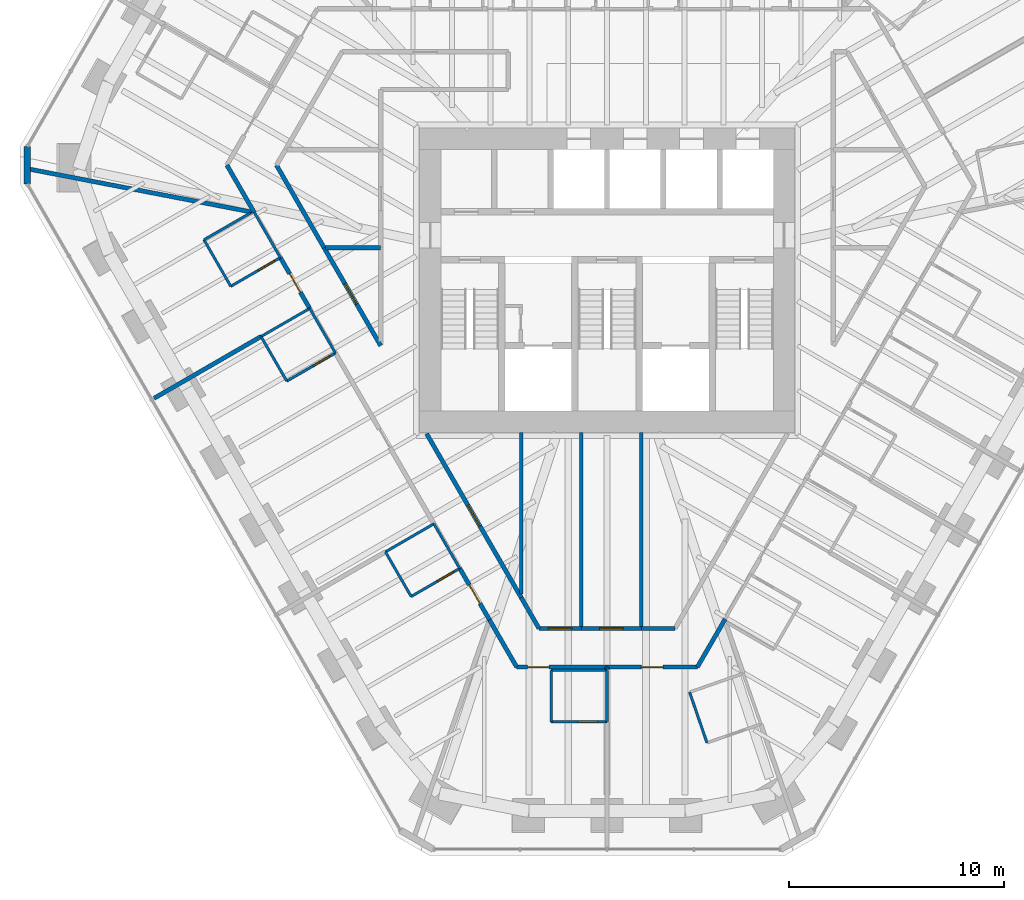
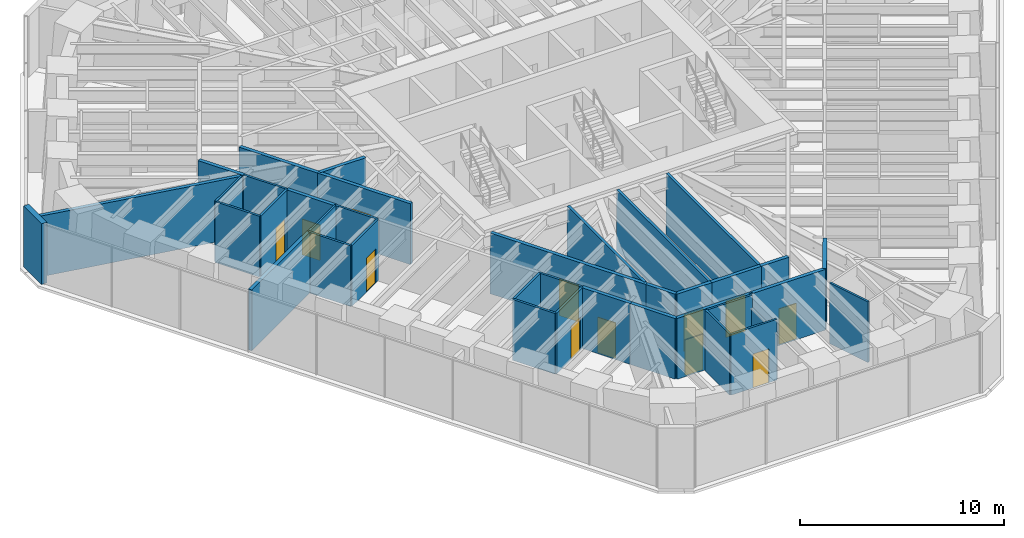
# One storey, part 11 of 17: 39 walls, 12 doors, 12 openings.
"""IFC4 building model written with IfcOpenShell, lengths in metres."""

from ifc_helpers import new_model, si_unit, direction, frame, frame_2d, origin, place, context, subcontext, project, spatial, rectangle, extrude, material, layer, layer_set, type_object, element, fill, save


model = new_model("IFC4")

# Units and contexts
model_context = context("Model", 3, precision=1e-05, world=origin(), true_north=direction((0.0, 1.0)))
body_context = subcontext(model_context, "Body", "Model", "MODEL_VIEW")
ifc_project = project(units=[si_unit("LENGTHUNIT", "METRE"), si_unit("AREAUNIT", "SQUARE_METRE"), si_unit("VOLUMEUNIT", "CUBIC_METRE"), si_unit("PLANEANGLEUNIT", "RADIAN"), si_unit("MASSUNIT", "GRAM", prefix="KILO")], contexts=[model_context])

# Site, building, storey
site_placement = place(None, origin())
site = spatial("IfcSite", under=ifc_project, at=site_placement, CompositionType="ELEMENT")
building_placement = place(site_placement, origin())
building = spatial("IfcBuilding", under=site, at=building_placement, Name="Sandreach Pilgrim Tower", CompositionType="ELEMENT")
storey_placement = place(building_placement, frame((0.0, 0.0, 236.39990234375)))
storey = spatial("IfcBuildingStorey", under=building, at=storey_placement, Name="L59", CompositionType="ELEMENT", Elevation=236.39990234375)

# Walls
ifc_material_1 = material(Name="Gypsum board on steel studs", Category="steel")
ifc_layer_1 = layer(ifc_material_1, 0.14990234375)
ifc_layer_set_1 = layer_set([ifc_layer_1], Name="Back of house wall 150")
wall_type_1 = type_object("IfcWallType", Name="Back of house wall 150", PredefinedType="PARTITIONING", material=ifc_layer_set_1)
wall_1_placement = place(storey_placement, frame((-4.0, -7.10009765625, 0.0), z_axis=(0.0, 0.0, 1.0), x_axis=(0.0, -1.0, 0.0)))
element("IfcWall", 1, at=wall_1_placement, inside=storey, type_object=wall_type_1, Name="Back of house wall L59-060", PredefinedType="PARTITIONING", context=body_context, shape_type="SweptSolid", body=[
    extrude(rectangle(XDim=7.514892578125, YDim=0.14990234375, at=frame_2d((3.75732421875, 0.0))), origin(), (0.0, 0.0, 1.0), 3.64013671875),
])
for number, where, z_axis, x_axis, name in (
    (2, (-1.199951171875, -7.10009765625, 0.0), (0.0, 0.0, 1.0), (0.0, -1.0, 0.0), "Back of house wall L59-069"),
    (3, (1.60009765625, -7.10009765625, 0.0), (0.0, 0.0, 1.0), (0.0, -1.0, 0.0), "Back of house wall L59-078"),
):
    element("IfcWall", number, at=place(storey_placement, frame(where, z_axis=z_axis, x_axis=x_axis)), inside=storey, type_object=wall_type_1, Name=name, PredefinedType="PARTITIONING", context=body_context, shape_type="SweptSolid", body=[
        extrude(rectangle(XDim=9.1298828125, YDim=0.14990234375, at=frame_2d((4.56494140625, 0.0))), origin(), (0.0, 0.0, 1.0), 3.64013671875),
    ])
ifc_material_2 = material(Name="Moisture-resistant gypsum board on steel studs", Category="steel")
ifc_layer_2 = layer(ifc_material_2, 0.1201171875)
ifc_layer_set_2 = layer_set([ifc_layer_2], Name="Bathroom partition 120")
wall_type_2 = type_object("IfcWallType", Name="Bathroom partition 120", PredefinedType="PARTITIONING", material=ifc_layer_set_2)
wall_2_placement = place(storey_placement, frame((-18.7900390625, 1.889892578125, 0.0), z_axis=(0.0, 0.0, 1.0), x_axis=(0.499159685399, -0.866510016372, 0.0)))
element("IfcWall", 4, at=wall_2_placement, inside=storey, type_object=wall_type_2, Name="Bathroom partition L59-008", PredefinedType="PARTITIONING", context=body_context, shape_type="SweptSolid", body=[
    extrude(rectangle(XDim=2.504150390625, YDim=0.1201171875, at=frame_2d((1.251953125, 0.0))), origin(), (0.0, 0.0, 1.0), 3.64013671875),
])

# Wall, opening, door
wall_3_placement = place(storey_placement, frame((-17.5400390625, -0.280029296875, 0.0), z_axis=(0.0, 0.0, 1.0), x_axis=(0.86498992408, 0.501789229896, 0.0)))
wall_3 = element("IfcWall", 5, at=wall_3_placement, inside=storey, type_object=wall_type_2, Name="Bathroom partition L59-013", PredefinedType="PARTITIONING", context=body_context, shape_type="SweptSolid", body=[
    extrude(rectangle(XDim=2.670654296875, YDim=0.1201171875, at=frame_2d((1.33544921875, 0.0))), origin(), (0.0, 0.0, 1.0), 3.64013671875),
])
opening_1_placement = place(wall_3_placement, frame((1.470458984375, 0.0, 0.0)))
opening_1 = element("IfcOpeningElement", 6, at=opening_1_placement, cuts=wall_3, Name="Opening D09-17B", PredefinedType="OPENING", context=body_context, shape_type="SweptSolid", body=[
    extrude(rectangle(XDim=0.89990234375, YDim=2.030029296875, at=frame_2d((0.449951171875, 1.01513671875))), frame((0.0, 0.06005859375, 0.0), z_axis=(0.0, -1.0, 0.0), x_axis=(1.0, 0.0, 0.0)), (0.0, 0.0, 1.0), 0.1201171875),
])
ifc_material_3 = material(Name="Timber door, steel frame", Category="steel")
door_type_1 = type_object("IfcDoorType", Name="Bathroom door", OperationType="SINGLE_SWING_LEFT", PredefinedType="DOOR", material=ifc_material_3)
door_1_placement = place(opening_1_placement, origin())
door_1 = element("IfcDoor", 7, at=door_1_placement, inside=storey, type_object=door_type_1, Name="Door 5917B", OperationType="SINGLE_SWING_RIGHT", OverallHeight=2.030029296875, OverallWidth=0.89990234375, PredefinedType="DOOR", context=body_context, shape_type="SweptSolid", body=[
    extrude(rectangle(XDim=0.89990234375, YDim=2.030029296875, at=frame_2d((0.449951171875, 1.01513671875))), frame((0.0, 0.02490234375, 0.0), z_axis=(0.0, -1.0, 0.0), x_axis=(1.0, 0.0, 0.0)), (0.0, 0.0, 1.0), 0.050048828125),
])
fill(opening_1, door_1)

# Walls
wall_4_placement = place(storey_placement, frame((-16.623779296875, 3.1376953125, 0.0), z_axis=(0.0, 0.0, 1.0), x_axis=(-0.866525185869, -0.499133351175, 0.0)))
element("IfcWall", 8, at=wall_4_placement, inside=storey, type_object=wall_type_2, Name="Bathroom partition L59-014", PredefinedType="PARTITIONING", context=body_context, shape_type="SweptSolid", body=[
    extrude(rectangle(XDim=2.5, YDim=0.1201171875, at=frame_2d((1.25, 0.0))), origin(), (0.0, 0.0, 1.0), 3.64013671875),
])
wall_5_placement = place(storey_placement, frame((-16.44677734375, 3.171875, 0.0), z_axis=(0.0, 0.0, 1.0), x_axis=(0.499242543719, -0.86646227993, 0.0)))
element("IfcWall", 9, at=wall_5_placement, inside=storey, type_object=wall_type_2, Name="Bathroom partition L59-016", PredefinedType="PARTITIONING", context=body_context, shape_type="SweptSolid", body=[
    extrude(rectangle(XDim=2.437255859375, YDim=0.1201171875, at=frame_2d((1.21875, 0.0))), origin(), (0.0, 0.0, 1.0), 3.64013671875),
])
wall_6_placement = place(storey_placement, frame((-16.1298828125, -2.6201171875, 0.0), z_axis=(0.0, 0.0, 1.0), x_axis=(0.499737123639, -0.866177122335, 0.0)))
element("IfcWall", 10, at=wall_6_placement, inside=storey, type_object=wall_type_2, Name="Bathroom partition L59-017", PredefinedType="PARTITIONING", context=body_context, shape_type="SweptSolid", body=[
    extrude(rectangle(XDim=2.401123046875, YDim=0.1201171875, at=frame_2d((1.20068359375, 0.0))), origin(), (0.0, 0.0, 1.0), 3.64013671875),
])
wall_7_placement = place(storey_placement, frame((-16.1298828125, -2.6201171875, 0.0), z_axis=(0.0, 0.0, 1.0), x_axis=(0.866114241029, 0.499846097802, 0.0)))
element("IfcWall", 11, at=wall_7_placement, inside=storey, type_object=wall_type_2, Name="Bathroom partition L59-018", PredefinedType="PARTITIONING", context=body_context, shape_type="SweptSolid", body=[
    extrude(rectangle(XDim=2.620849609375, YDim=0.1201171875, at=frame_2d((1.310546875, 0.0))), origin(), (0.0, 0.0, 1.0), 3.64013671875),
])

# Wall, opening, door
wall_8_placement = place(storey_placement, frame((-14.929931640625, -4.699951171875, 0.0), z_axis=(0.0, 0.0, 1.0), x_axis=(0.866114241029, 0.499846097802, 0.0)))
wall_8 = element("IfcWall", 12, at=wall_8_placement, inside=storey, type_object=wall_type_2, Name="Bathroom partition L59-026", PredefinedType="PARTITIONING", context=body_context, shape_type="SweptSolid", body=[
    extrude(rectangle(XDim=2.620849609375, YDim=0.1201171875, at=frame_2d((1.310546875, 0.0))), origin(), (0.0, 0.0, 1.0), 3.64013671875),
])
opening_2_placement = place(wall_8_placement, frame((1.4208984375, 0.0, 0.0)))
opening_2 = element("IfcOpeningElement", 13, at=opening_2_placement, cuts=wall_8, Name="Opening D09-16B", PredefinedType="OPENING", context=body_context, shape_type="SweptSolid", body=[
    extrude(rectangle(XDim=0.89990234375, YDim=2.030029296875, at=frame_2d((0.449951171875, 1.01513671875))), frame((0.0, 0.06005859375, 0.0), z_axis=(0.0, -1.0, 0.0), x_axis=(1.0, 0.0, 0.0)), (0.0, 0.0, 1.0), 0.1201171875),
])
door_2_placement = place(opening_2_placement, origin())
door_2 = element("IfcDoor", 14, at=door_2_placement, inside=storey, type_object=door_type_1, Name="Door 5916B", OperationType="SINGLE_SWING_RIGHT", OverallHeight=2.030029296875, OverallWidth=0.89990234375, PredefinedType="DOOR", context=body_context, shape_type="SweptSolid", body=[
    extrude(rectangle(XDim=0.89990234375, YDim=2.030029296875, at=frame_2d((0.449951171875, 1.01513671875))), frame((0.0, 0.02490234375, 0.0), z_axis=(0.0, -1.0, 0.0), x_axis=(1.0, 0.0, 0.0)), (0.0, 0.0, 1.0), 0.050048828125),
])
fill(opening_2, door_2)

# Walls
for number, where, z_axis, x_axis, name in (
    (15, (-13.860107421875, -1.31005859375, 0.0), (0.0, 0.0, 1.0), (0.499813401482, -0.866133109688, 0.0), "Bathroom partition L59-029"),
    (16, (-10.330078125, -12.659912109375, 0.0), (0.0, 0.0, 1.0), (0.499693115345, -0.866202511239, 0.0), "Bathroom partition L59-041"),
):
    element("IfcWall", number, at=place(storey_placement, frame(where, z_axis=z_axis, x_axis=x_axis)), inside=storey, type_object=wall_type_2, Name=name, PredefinedType="PARTITIONING", context=body_context, shape_type="SweptSolid", body=[
        extrude(rectangle(XDim=2.4013671875, YDim=0.1201171875, at=frame_2d((1.20068359375, 0.0))), origin(), (0.0, 0.0, 1.0), 3.64013671875),
    ])
wall_9_placement = place(storey_placement, frame((-10.330078125, -12.659912109375, 0.0), z_axis=(0.0, 0.0, 1.0), x_axis=(0.865195830568, 0.501434118073, 0.0)))
element("IfcWall", 17, at=wall_9_placement, inside=storey, type_object=wall_type_2, Name="Bathroom partition L59-042", PredefinedType="PARTITIONING", context=body_context, shape_type="SweptSolid", body=[
    extrude(rectangle(XDim=2.612060546875, YDim=0.1201171875, at=frame_2d((1.30615234375, 0.0))), origin(), (0.0, 0.0, 1.0), 3.64013671875),
])

# Wall, opening, door
wall_10_placement = place(storey_placement, frame((-9.1298828125, -14.739990234375, 0.0), z_axis=(0.0, 0.0, 1.0), x_axis=(0.865131772832, 0.501544629755, 0.0)))
wall_10 = element("IfcWall", 18, at=wall_10_placement, inside=storey, type_object=wall_type_2, Name="Bathroom partition L59-043", PredefinedType="PARTITIONING", context=body_context, shape_type="SweptSolid", body=[
    extrude(rectangle(XDim=2.612060546875, YDim=0.1201171875, at=frame_2d((1.30615234375, 0.0))), origin(), (0.0, 0.0, 1.0), 3.64013671875),
])
opening_3_placement = place(wall_10_placement, frame((1.412109375, 0.0, 0.0)))
opening_3 = element("IfcOpeningElement", 19, at=opening_3_placement, cuts=wall_10, Name="Opening D09-15B", PredefinedType="OPENING", context=body_context, shape_type="SweptSolid", body=[
    extrude(rectangle(XDim=0.89990234375, YDim=2.030029296875, at=frame_2d((0.449951171875, 1.01513671875))), frame((0.0, 0.06005859375, 0.0), z_axis=(0.0, -1.0, 0.0), x_axis=(1.0, 0.0, 0.0)), (0.0, 0.0, 1.0), 0.1201171875),
])
door_3_placement = place(opening_3_placement, origin())
door_3 = element("IfcDoor", 20, at=door_3_placement, inside=storey, type_object=door_type_1, Name="Door 5915B", OperationType="SINGLE_SWING_RIGHT", OverallHeight=2.030029296875, OverallWidth=0.89990234375, PredefinedType="DOOR", context=body_context, shape_type="SweptSolid", body=[
    extrude(rectangle(XDim=0.89990234375, YDim=2.030029296875, at=frame_2d((0.449951171875, 1.01513671875))), frame((0.0, 0.02490234375, 0.0), z_axis=(0.0, -1.0, 0.0), x_axis=(1.0, 0.0, 0.0)), (0.0, 0.0, 1.0), 0.050048828125),
])
fill(opening_3, door_3)

# Wall
wall_11_placement = place(storey_placement, frame((-8.070068359375, -11.35009765625, 0.0), z_axis=(0.0, 0.0, 1.0), x_axis=(0.499737123639, -0.866177122335, 0.0)))
element("IfcWall", 21, at=wall_11_placement, inside=storey, type_object=wall_type_2, Name="Bathroom partition L59-047", PredefinedType="PARTITIONING", context=body_context, shape_type="SweptSolid", body=[
    extrude(rectangle(XDim=2.401123046875, YDim=0.1201171875, at=frame_2d((1.20068359375, 0.0))), origin(), (0.0, 0.0, 1.0), 3.64013671875),
])

# Wall, opening, door
wall_12_placement = place(storey_placement, frame((-2.60009765625, -20.580078125, 0.0), z_axis=(0.0, 0.0, 1.0), x_axis=(1.0, 0.0, 0.0)))
wall_12 = element("IfcWall", 22, at=wall_12_placement, inside=storey, type_object=wall_type_2, Name="Bathroom partition L59-062", PredefinedType="PARTITIONING", context=body_context, shape_type="SweptSolid", body=[
    extrude(rectangle(XDim=2.60009765625, YDim=0.1201171875, at=frame_2d((1.300048828125, 0.0))), origin(), (0.0, 0.0, 1.0), 3.64013671875),
])
opening_4_placement = place(wall_12_placement, frame((1.25, 0.0, 0.0)))
opening_4 = element("IfcOpeningElement", 23, at=opening_4_placement, cuts=wall_12, Name="Opening D09-14B", PredefinedType="OPENING", context=body_context, shape_type="SweptSolid", body=[
    extrude(rectangle(XDim=0.89990234375, YDim=2.030029296875, at=frame_2d((0.449951171875, 1.01513671875))), frame((0.0, 0.06005859375, 0.0), z_axis=(0.0, -1.0, 0.0), x_axis=(1.0, 0.0, 0.0)), (0.0, 0.0, 1.0), 0.1201171875),
])
door_4_placement = place(opening_4_placement, origin())
door_4 = element("IfcDoor", 24, at=door_4_placement, inside=storey, type_object=door_type_1, Name="Door 5914B", OperationType="SINGLE_SWING_RIGHT", OverallHeight=2.030029296875, OverallWidth=0.89990234375, PredefinedType="DOOR", context=body_context, shape_type="SweptSolid", body=[
    extrude(rectangle(XDim=0.89990234375, YDim=2.030029296875, at=frame_2d((0.449951171875, 1.01513671875))), frame((0.0, 0.02490234375, 0.0), z_axis=(0.0, -1.0, 0.0), x_axis=(1.0, 0.0, 0.0)), (0.0, 0.0, 1.0), 0.050048828125),
])
fill(opening_4, door_4)

# Walls
wall_13_placement = place(storey_placement, frame((-2.60009765625, -18.179931640625, 0.0), z_axis=(0.0, 0.0, 1.0), x_axis=(0.0, -1.0, 0.0)))
element("IfcWall", 25, at=wall_13_placement, inside=storey, type_object=wall_type_2, Name="Bathroom partition L59-063", PredefinedType="PARTITIONING", context=body_context, shape_type="SweptSolid", body=[
    extrude(rectangle(XDim=2.400146484375, YDim=0.1201171875, at=frame_2d((1.2001953125, 0.0))), origin(), (0.0, 0.0, 1.0), 3.64013671875),
])
wall_14_placement = place(storey_placement, frame((0.0, -20.580078125, 0.0), z_axis=(0.0, 0.0, 1.0), x_axis=(0.0, 1.0, 0.0)))
element("IfcWall", 26, at=wall_14_placement, inside=storey, type_object=wall_type_2, Name="Bathroom partition L59-073", PredefinedType="PARTITIONING", context=body_context, shape_type="SweptSolid", body=[
    extrude(rectangle(XDim=2.400146484375, YDim=0.1201171875, at=frame_2d((1.2001953125, 0.0))), origin(), (0.0, 0.0, 1.0), 2.8603515625),
])
wall_15_placement = place(storey_placement, frame((0.0, -18.179931640625, 0.0), z_axis=(0.0, 0.0, 1.0), x_axis=(-1.0, 0.0, 0.0)))
element("IfcWall", 27, at=wall_15_placement, inside=storey, type_object=wall_type_2, Name="Bathroom partition L59-074", PredefinedType="PARTITIONING", context=body_context, shape_type="SweptSolid", body=[
    extrude(rectangle(XDim=2.60009765625, YDim=0.1201171875, at=frame_2d((1.300048828125, 0.0))), origin(), (0.0, 0.0, 1.0), 3.64013671875),
])
wall_16_placement = place(storey_placement, frame((3.85009765625, -19.199951171875, 0.0), z_axis=(0.0, 0.0, 1.0), x_axis=(0.324551952924, -0.945867871245, 0.0)))
element("IfcWall", 28, at=wall_16_placement, inside=storey, type_object=wall_type_2, Name="Bathroom partition L59-086", PredefinedType="PARTITIONING", context=body_context, shape_type="SweptSolid", body=[
    extrude(rectangle(XDim=2.4951171875, YDim=0.1201171875, at=frame_2d((1.24755859375, 0.0))), origin(), (0.0, 0.0, 1.0), 3.64013671875),
])
ifc_material_4 = material(Name="Gypsum board on steel studs, two layers each side", Category="steel")
ifc_layer_3 = layer(ifc_material_4, 0.199951171875)
ifc_layer_set_3 = layer_set([ifc_layer_3], Name="Corridor wall 200")
wall_type_3 = type_object("IfcWallType", Name="Corridor wall 200", PredefinedType="PARTITIONING", material=ifc_layer_set_3)
wall_17_placement = place(storey_placement, frame((-17.719970703125, 5.3701171875, 0.0), z_axis=(0.0, 0.0, 1.0), x_axis=(0.499922110319, -0.866070368743, 0.0)))
element("IfcWall", 29, at=wall_17_placement, inside=storey, type_object=wall_type_3, Name="Corridor wall L59-011", PredefinedType="PARTITIONING", context=body_context, shape_type="SweptSolid", body=[
    extrude(rectangle(XDim=2.54052734375, YDim=0.199951171875, at=frame_2d((1.270263671875, 0.0))), origin(), (0.0, 0.0, 1.0), 3.64013671875),
])

# Wall, opening, door
wall_18_placement = place(storey_placement, frame((-15.22998046875, 1.06005859375, 0.0), z_axis=(0.0, 0.0, 1.0), x_axis=(0.500406860043, -0.865790375565, 0.0)))
wall_18 = element("IfcWall", 30, at=wall_18_placement, inside=storey, type_object=wall_type_3, Name="Corridor wall L59-024", PredefinedType="PARTITIONING", context=body_context, shape_type="SweptSolid", body=[
    extrude(rectangle(XDim=2.737548828125, YDim=0.199951171875, at=frame_2d((1.36865234375, 0.0))), origin(), (0.0, 0.0, 1.0), 3.64013671875),
])
opening_5_placement = place(wall_18_placement, frame((0.86865234375, 0.0, 0.0)))
opening_5 = element("IfcOpeningElement", 31, at=opening_5_placement, cuts=wall_18, Name="Opening D10-17", PredefinedType="OPENING", context=body_context, shape_type="SweptSolid", body=[
    extrude(rectangle(XDim=1.0, YDim=2.1298828125, at=frame_2d((0.5, 1.06494140625))), frame((0.0, 0.10009765625, 0.0), z_axis=(0.0, -1.0, 0.0), x_axis=(1.0, 0.0, 0.0)), (0.0, 0.0, 1.0), 0.199951171875),
])
ifc_material_5 = material(Name="Steel door and frame", Category="steel")
door_type_2 = type_object("IfcDoorType", Name="Guest room entry door", OperationType="SINGLE_SWING_LEFT", PredefinedType="DOOR", material=ifc_material_5)
door_5_placement = place(opening_5_placement, origin())
door_5 = element("IfcDoor", 32, at=door_5_placement, inside=storey, type_object=door_type_2, Name="Door 5917", OperationType="SINGLE_SWING_LEFT", OverallHeight=2.1298828125, OverallWidth=1.0, PredefinedType="DOOR", context=body_context, shape_type="SweptSolid", body=[
    extrude(rectangle(XDim=1.0, YDim=2.1298828125, at=frame_2d((0.5, 1.06494140625))), frame((0.0, 0.02490234375, 0.0), z_axis=(0.0, -1.0, 0.0), x_axis=(1.0, 0.0, 0.0)), (0.0, 0.0, 1.0), 0.050048828125),
])
fill(opening_5, door_5)

# Wall
wall_19_placement = place(storey_placement, frame((-13.18994140625, 1.52001953125, 0.0), z_axis=(0.0, 0.0, 1.0), x_axis=(-0.499513190454, 0.866306281036, 0.0)))
element("IfcWall", 33, at=wall_19_placement, inside=storey, type_object=wall_type_3, Name="Corridor wall L59-031", PredefinedType="PARTITIONING", context=body_context, shape_type="SweptSolid", body=[
    extrude(rectangle(XDim=4.4443359375, YDim=0.199951171875, at=frame_2d((2.22216796875, 0.0))), origin(), (0.0, 0.0, 1.0), 3.64013671875),
])

# Wall, opening, door
wall_20_placement = place(storey_placement, frame((-10.550048828125, -3.050048828125, 0.0), z_axis=(0.0, 0.0, 1.0), x_axis=(-0.500193590286, 0.865913605527, 0.0)))
wall_20 = element("IfcWall", 34, at=wall_20_placement, inside=storey, type_object=wall_type_3, Name="Corridor wall L59-037", PredefinedType="PARTITIONING", context=body_context, shape_type="SweptSolid", body=[
    extrude(rectangle(XDim=5.27783203125, YDim=0.199951171875, at=frame_2d((2.638916015625, 0.0))), origin(), (0.0, 0.0, 1.0), 3.64013671875),
])
opening_6_placement = place(wall_20_placement, frame((2.25, 0.0, 0.0)))
opening_6 = element("IfcOpeningElement", 35, at=opening_6_placement, cuts=wall_20, Name="Opening D11H-M02", PredefinedType="OPENING", context=body_context, shape_type="SweptSolid", body=[
    extrude(rectangle(XDim=1.10009765625, YDim=2.199951171875, at=frame_2d((0.550048828125, 1.10009765625))), frame((0.0, 0.10009765625, 0.0), z_axis=(0.0, -1.0, 0.0), x_axis=(1.0, 0.0, 0.0)), (0.0, 0.0, 1.0), 0.199951171875),
])
ifc_material_6 = material(Name="Steel door and frame", Category="steel")
door_type_3 = type_object("IfcDoorType", Name="Back of house door", OperationType="SINGLE_SWING_LEFT", PredefinedType="DOOR", material=ifc_material_6)
door_6_placement = place(opening_6_placement, origin())
door_6 = element("IfcDoor", 36, at=door_6_placement, inside=storey, type_object=door_type_3, Name="Door 59M02", OperationType="SINGLE_SWING_RIGHT", OverallHeight=2.199951171875, OverallWidth=1.10009765625, PredefinedType="DOOR", context=body_context, shape_type="SweptSolid", body=[
    extrude(rectangle(XDim=1.10009765625, YDim=2.199951171875, at=frame_2d((0.550048828125, 1.10009765625))), frame((0.0, 0.02490234375, 0.0), z_axis=(0.0, -1.0, 0.0), x_axis=(1.0, 0.0, 0.0)), (0.0, 0.0, 1.0), 0.050048828125),
])
fill(opening_6, door_6)

wall_21_placement = place(storey_placement, frame((-6.865234375, -13.42724609375, 0.0), z_axis=(0.0, 0.0, 1.0), x_axis=(0.499453176768, -0.866340882226, 0.0)))
wall_21 = element("IfcWall", 37, at=wall_21_placement, inside=storey, type_object=wall_type_3, Name="Corridor wall L59-048", PredefinedType="PARTITIONING", context=body_context, shape_type="SweptSolid", body=[
    extrude(rectangle(XDim=2.7734375, YDim=0.199951171875, at=frame_2d((1.38671875, 0.0))), origin(), (0.0, 0.0, 1.0), 3.64013671875),
])
opening_7_placement = place(wall_21_placement, frame((0.88671875, 0.0, 0.0)))
opening_7 = element("IfcOpeningElement", 38, at=opening_7_placement, cuts=wall_21, Name="Opening D10-15", PredefinedType="OPENING", context=body_context, shape_type="SweptSolid", body=[
    extrude(rectangle(XDim=1.0, YDim=2.1298828125, at=frame_2d((0.5, 1.06494140625))), frame((0.0, 0.10009765625, 0.0), z_axis=(0.0, -1.0, 0.0), x_axis=(1.0, 0.0, 0.0)), (0.0, 0.0, 1.0), 0.199951171875),
])
door_7_placement = place(opening_7_placement, origin())
door_7 = element("IfcDoor", 39, at=door_7_placement, inside=storey, type_object=door_type_2, Name="Door 5915", OperationType="SINGLE_SWING_LEFT", OverallHeight=2.1298828125, OverallWidth=1.0, PredefinedType="DOOR", context=body_context, shape_type="SweptSolid", body=[
    extrude(rectangle(XDim=1.0, YDim=2.1298828125, at=frame_2d((0.5, 1.06494140625))), frame((0.0, 0.02490234375, 0.0), z_axis=(0.0, -1.0, 0.0), x_axis=(1.0, 0.0, 0.0)), (0.0, 0.0, 1.0), 0.050048828125),
])
fill(opening_7, door_7)

# Wall
wall_22_placement = place(storey_placement, frame((-5.47998046875, -15.830078125, 0.0), z_axis=(0.0, 0.0, 1.0), x_axis=(0.499963722229, -0.866046347752, 0.0)))
element("IfcWall", 40, at=wall_22_placement, inside=storey, type_object=wall_type_3, Name="Corridor wall L59-053", PredefinedType="PARTITIONING", context=body_context, shape_type="SweptSolid", body=[
    extrude(rectangle(XDim=2.540283203125, YDim=0.199951171875, at=frame_2d((1.27001953125, 0.0))), origin(), (0.0, 0.0, 1.0), 3.64013671875),
])

# Wall, opening, door
wall_23_placement = place(storey_placement, frame((-4.2099609375, -18.030029296875, 0.0), z_axis=(0.0, 0.0, 1.0), x_axis=(1.0, 0.0, 0.0)))
wall_23 = element("IfcWall", 41, at=wall_23_placement, inside=storey, type_object=wall_type_3, Name="Corridor wall L59-058", PredefinedType="PARTITIONING", context=body_context, shape_type="SweptSolid", body=[
    extrude(rectangle(XDim=4.2099609375, YDim=0.199951171875, at=frame_2d((2.10498046875, 0.0))), origin(), (0.0, 0.0, 1.0), 3.64013671875),
])
opening_8_placement = place(wall_23_placement, frame((0.5048828125, 0.0, 0.0)))
opening_8 = element("IfcOpeningElement", 42, at=opening_8_placement, cuts=wall_23, Name="Opening D10-14", PredefinedType="OPENING", context=body_context, shape_type="SweptSolid", body=[
    extrude(rectangle(XDim=1.0, YDim=2.1298828125, at=frame_2d((0.5, 1.06494140625))), frame((0.0, 0.10009765625, 0.0), z_axis=(0.0, -1.0, 0.0), x_axis=(1.0, 0.0, 0.0)), (0.0, 0.0, 1.0), 0.199951171875),
])
door_8_placement = place(opening_8_placement, origin())
door_8 = element("IfcDoor", 43, at=door_8_placement, inside=storey, type_object=door_type_2, Name="Door 5914", OperationType="SINGLE_SWING_LEFT", OverallHeight=2.1298828125, OverallWidth=1.0, PredefinedType="DOOR", context=body_context, shape_type="SweptSolid", body=[
    extrude(rectangle(XDim=1.0, YDim=2.1298828125, at=frame_2d((0.5, 1.06494140625))), frame((0.0, 0.02490234375, 0.0), z_axis=(0.0, -1.0, 0.0), x_axis=(1.0, 0.0, 0.0)), (0.0, 0.0, 1.0), 0.050048828125),
])
fill(opening_8, door_8)

wall_24_placement = place(storey_placement, frame((-4.0, -14.7900390625, 0.0), z_axis=(0.0, 0.0, 1.0), x_axis=(-0.499916512745, 0.866073599808, 0.0)))
wall_24 = element("IfcWall", 44, at=wall_24_placement, inside=storey, type_object=wall_type_3, Name="Corridor wall L59-059", PredefinedType="PARTITIONING", context=body_context, shape_type="SweptSolid", body=[
    extrude(rectangle(XDim=8.8212890625, YDim=0.199951171875, at=frame_2d((4.41064453125, 0.0))), origin(), (0.0, 0.0, 1.0), 3.64013671875),
])
opening_9_placement = place(wall_24_placement, frame((3.860595703125, 0.0, 0.0)))
opening_9 = element("IfcOpeningElement", 45, at=opening_9_placement, cuts=wall_24, Name="Opening D11H-S1", PredefinedType="OPENING", context=body_context, shape_type="SweptSolid", body=[
    extrude(rectangle(XDim=1.10009765625, YDim=2.199951171875, at=frame_2d((0.550048828125, 1.10009765625))), frame((0.0, 0.10009765625, 0.0), z_axis=(0.0, -1.0, 0.0), x_axis=(1.0, 0.0, 0.0)), (0.0, 0.0, 1.0), 0.199951171875),
])
door_9_placement = place(opening_9_placement, origin())
door_9 = element("IfcDoor", 46, at=door_9_placement, inside=storey, type_object=door_type_3, Name="Door 59S1", OperationType="SINGLE_SWING_LEFT", OverallHeight=2.199951171875, OverallWidth=1.10009765625, PredefinedType="DOOR", context=body_context, shape_type="SweptSolid", body=[
    extrude(rectangle(XDim=1.10009765625, YDim=2.199951171875, at=frame_2d((0.550048828125, 1.10009765625))), frame((0.0, 0.02490234375, 0.0), z_axis=(0.0, -1.0, 0.0), x_axis=(1.0, 0.0, 0.0)), (0.0, 0.0, 1.0), 0.050048828125),
])
fill(opening_9, door_9)

# Wall
wall_25_placement = place(storey_placement, frame((-3.169921875, -16.22998046875, 0.0), z_axis=(0.0, 0.0, 1.0), x_axis=(-0.499425709803, 0.866356716594, 0.0)))
element("IfcWall", 47, at=wall_25_placement, inside=storey, type_object=wall_type_3, Name="Corridor wall L59-061", PredefinedType="PARTITIONING", context=body_context, shape_type="SweptSolid", body=[
    extrude(rectangle(XDim=1.662109375, YDim=0.199951171875, at=frame_2d((0.8310546875, 0.0))), origin(), (0.0, 0.0, 1.0), 3.64013671875),
])

# Wall, opening, door
wall_26_placement = place(storey_placement, frame((-1.199951171875, -16.22998046875, 0.0), z_axis=(0.0, 0.0, 1.0), x_axis=(-1.0, 0.0, 0.0)))
wall_26 = element("IfcWall", 48, at=wall_26_placement, inside=storey, type_object=wall_type_3, Name="Corridor wall L59-068", PredefinedType="PARTITIONING", context=body_context, shape_type="SweptSolid", body=[
    extrude(rectangle(XDim=1.969970703125, YDim=0.199951171875, at=frame_2d((0.98486328125, 0.0))), origin(), (0.0, 0.0, 1.0), 3.64013671875),
])
opening_10_placement = place(wall_26_placement, frame((0.43505859375, 0.0, 0.0)))
opening_10 = element("IfcOpeningElement", 49, at=opening_10_placement, cuts=wall_26, Name="Opening D11H-S2", PredefinedType="OPENING", context=body_context, shape_type="SweptSolid", body=[
    extrude(rectangle(XDim=1.10009765625, YDim=2.199951171875, at=frame_2d((0.550048828125, 1.10009765625))), frame((0.0, 0.10009765625, 0.0), z_axis=(0.0, -1.0, 0.0), x_axis=(1.0, 0.0, 0.0)), (0.0, 0.0, 1.0), 0.199951171875),
])
door_10_placement = place(opening_10_placement, origin())
door_10 = element("IfcDoor", 50, at=door_10_placement, inside=storey, type_object=door_type_3, Name="Door 59S2", OperationType="SINGLE_SWING_LEFT", OverallHeight=2.199951171875, OverallWidth=1.10009765625, PredefinedType="DOOR", context=body_context, shape_type="SweptSolid", body=[
    extrude(rectangle(XDim=1.10009765625, YDim=2.199951171875, at=frame_2d((0.550048828125, 1.10009765625))), frame((0.0, 0.02490234375, 0.0), z_axis=(0.0, -1.0, 0.0), x_axis=(1.0, 0.0, 0.0)), (0.0, 0.0, 1.0), 0.050048828125),
])
fill(opening_10, door_10)

wall_27_placement = place(storey_placement, frame((0.0, -18.030029296875, 0.0), z_axis=(0.0, 0.0, 1.0), x_axis=(1.0, 0.0, 0.0)))
wall_27 = element("IfcWall", 51, at=wall_27_placement, inside=storey, type_object=wall_type_3, Name="Corridor wall L59-076", PredefinedType="PARTITIONING", context=body_context, shape_type="SweptSolid", body=[
    extrude(rectangle(XDim=4.2099609375, YDim=0.199951171875, at=frame_2d((2.10498046875, 0.0))), origin(), (0.0, 0.0, 1.0), 3.64013671875),
])
opening_11_placement = place(wall_27_placement, frame((1.60498046875, 0.0, 0.0)))
opening_11 = element("IfcOpeningElement", 52, at=opening_11_placement, cuts=wall_27, Name="Opening D10-13", PredefinedType="OPENING", context=body_context, shape_type="SweptSolid", body=[
    extrude(rectangle(XDim=1.0, YDim=2.1298828125, at=frame_2d((0.5, 1.06494140625))), frame((0.0, 0.10009765625, 0.0), z_axis=(0.0, -1.0, 0.0), x_axis=(1.0, 0.0, 0.0)), (0.0, 0.0, 1.0), 0.199951171875),
])
door_11_placement = place(opening_11_placement, origin())
door_11 = element("IfcDoor", 53, at=door_11_placement, inside=storey, type_object=door_type_2, Name="Door 5913", OperationType="SINGLE_SWING_LEFT", OverallHeight=2.1298828125, OverallWidth=1.0, PredefinedType="DOOR", context=body_context, shape_type="SweptSolid", body=[
    extrude(rectangle(XDim=1.0, YDim=2.1298828125, at=frame_2d((0.5, 1.06494140625))), frame((0.0, 0.02490234375, 0.0), z_axis=(0.0, -1.0, 0.0), x_axis=(1.0, 0.0, 0.0)), (0.0, 0.0, 1.0), 0.050048828125),
])
fill(opening_11, door_11)

wall_28_placement = place(storey_placement, frame((1.60009765625, -16.22998046875, 0.0), z_axis=(0.0, 0.0, 1.0), x_axis=(-1.0, 0.0, 0.0)))
wall_28 = element("IfcWall", 54, at=wall_28_placement, inside=storey, type_object=wall_type_3, Name="Corridor wall L59-077", PredefinedType="PARTITIONING", context=body_context, shape_type="SweptSolid", body=[
    extrude(rectangle(XDim=2.800048828125, YDim=0.199951171875, at=frame_2d((1.39990234375, 0.0))), origin(), (0.0, 0.0, 1.0), 3.64013671875),
])
opening_12_placement = place(wall_28_placement, frame((0.85009765625, 0.0, 0.0)))
opening_12 = element("IfcOpeningElement", 55, at=opening_12_placement, cuts=wall_28, Name="Opening D11H-S3", PredefinedType="OPENING", context=body_context, shape_type="SweptSolid", body=[
    extrude(rectangle(XDim=1.10009765625, YDim=2.199951171875, at=frame_2d((0.550048828125, 1.10009765625))), frame((0.0, 0.10009765625, 0.0), z_axis=(0.0, -1.0, 0.0), x_axis=(1.0, 0.0, 0.0)), (0.0, 0.0, 1.0), 0.199951171875),
])
door_12_placement = place(opening_12_placement, origin())
door_12 = element("IfcDoor", 56, at=door_12_placement, inside=storey, type_object=door_type_3, Name="Door 59S3", OperationType="SINGLE_SWING_LEFT", OverallHeight=2.199951171875, OverallWidth=1.10009765625, PredefinedType="DOOR", context=body_context, shape_type="SweptSolid", body=[
    extrude(rectangle(XDim=1.10009765625, YDim=2.199951171875, at=frame_2d((0.550048828125, 1.10009765625))), frame((0.0, 0.02490234375, 0.0), z_axis=(0.0, -1.0, 0.0), x_axis=(1.0, 0.0, 0.0)), (0.0, 0.0, 1.0), 0.050048828125),
])
fill(opening_12, door_12)

# Walls
wall_29_placement = place(storey_placement, frame((3.169921875, -16.22998046875, 0.0), z_axis=(0.0, 0.0, 1.0), x_axis=(-1.0, 0.0, 0.0)))
element("IfcWall", 57, at=wall_29_placement, inside=storey, type_object=wall_type_3, Name="Corridor wall L59-083", PredefinedType="PARTITIONING", context=body_context, shape_type="SweptSolid", body=[
    extrude(rectangle(XDim=1.56982421875, YDim=0.199951171875, at=frame_2d((0.784912109375, 0.0))), origin(), (0.0, 0.0, 1.0), 3.64013671875),
])
wall_30_placement = place(storey_placement, frame((5.510009765625, -15.7900390625, 0.0), z_axis=(0.0, 0.0, 1.0), x_axis=(-0.501964949025, -0.864887963814, 0.0)))
element("IfcWall", 58, at=wall_30_placement, inside=storey, type_object=wall_type_3, Name="Corridor wall L59-088", PredefinedType="PARTITIONING", context=body_context, shape_type="SweptSolid", body=[
    extrude(rectangle(XDim=2.58984375, YDim=0.199951171875, at=frame_2d((1.294921875, 0.0))), origin(), (0.0, 0.0, 1.0), 3.64013671875),
])
ifc_material_7 = material(Name="Double steel stud acoustic wall, gypsum board", Category="steel")
ifc_layer_4 = layer(ifc_material_7, 0.199951171875)
ifc_layer_set_4 = layer_set([ifc_layer_4], Name="Party wall 200")
wall_type_4 = type_object("IfcWallType", Name="Party wall 200", PredefinedType="PARTITIONING", material=ifc_layer_set_4)
wall_31_placement = place(storey_placement, frame((-27.04052734375, 5.204345703125, 0.0), z_axis=(0.0, 0.0, 1.0), x_axis=(0.981884490433, -0.18948046719, 0.0)))
element("IfcWall", 59, at=wall_31_placement, inside=storey, type_object=wall_type_4, Name="Party wall L59-001", PredefinedType="PARTITIONING", context=body_context, shape_type="SweptSolid", body=[
    extrude(rectangle(XDim=10.68408203125, YDim=0.199951171875, at=frame_2d((5.342041015625, 0.0))), origin(), (0.0, 0.0, 1.0), 3.64013671875),
])
wall_32_placement = place(storey_placement, frame((-21.115966796875, -5.5, 0.0), z_axis=(0.0, 0.0, 1.0), x_axis=(0.865919350456, 0.50018364478, 0.0)))
element("IfcWall", 60, at=wall_32_placement, inside=storey, type_object=wall_type_4, Name="Party wall L59-004", PredefinedType="PARTITIONING", context=body_context, shape_type="SweptSolid", body=[
    extrude(rectangle(XDim=5.758056640625, YDim=0.199951171875, at=frame_2d((2.87890625, 0.0))), origin(), (0.0, 0.0, 1.0), 3.64013671875),
])
wall_33_placement = place(storey_placement, frame((-10.56005859375, 1.52001953125, 0.0), z_axis=(0.0, 0.0, 1.0), x_axis=(-1.0, 0.0, 0.0)))
element("IfcWall", 61, at=wall_33_placement, inside=storey, type_object=wall_type_4, Name="Party wall L59-036", PredefinedType="PARTITIONING", context=body_context, shape_type="SweptSolid", body=[
    extrude(rectangle(XDim=2.56005859375, YDim=0.199951171875, at=frame_2d((1.280029296875, 0.0))), origin(), (0.0, 0.0, 1.0), 3.64013671875),
])
wall_34_placement = place(storey_placement, frame((0.0, -18.1201171875, 0.0), z_axis=(0.0, 0.0, 1.0), x_axis=(0.0, 1.0, 0.0)))
element("IfcWall", 62, at=wall_34_placement, inside=storey, type_object=wall_type_4, Name="Party wall L59-075", PredefinedType="PARTITIONING", context=body_context, shape_type="SweptSolid", body=[
    extrude(rectangle(XDim=0.090087890625, YDim=0.199951171875, at=frame_2d((0.044921875, 0.0))), origin(), (0.0, 0.0, 1.0), 3.64013671875),
])
ifc_material_8 = material(Name="Terracotta rainscreen on concrete", Category="masonry")
ifc_layer_5 = layer(ifc_material_8, 0.300048828125)
ifc_layer_set_5 = layer_set([ifc_layer_5], Name="Terracotta chamfer pier")
wall_type_5 = type_object("IfcWallType", Name="Terracotta chamfer pier", PredefinedType="SOLIDWALL", material=ifc_layer_set_5)
wall_35_placement = place(storey_placement, frame((-27.02001953125, 4.47998046875, 0.0), z_axis=(0.0, 0.0, 1.0), x_axis=(0.0, 1.0, 0.0)))
element("IfcWall", 63, at=wall_35_placement, inside=storey, type_object=wall_type_5, Name="Chamfer pier L59 SW", PredefinedType="SOLIDWALL", context=body_context, shape_type="SweptSolid", body=[
    extrude(rectangle(XDim=1.77001953125, YDim=0.300048828125, at=frame_2d((0.885009765625, 0.0))), origin(), (0.0, 0.0, 1.0), 3.64013671875),
])

save(model, "model.ifc")
